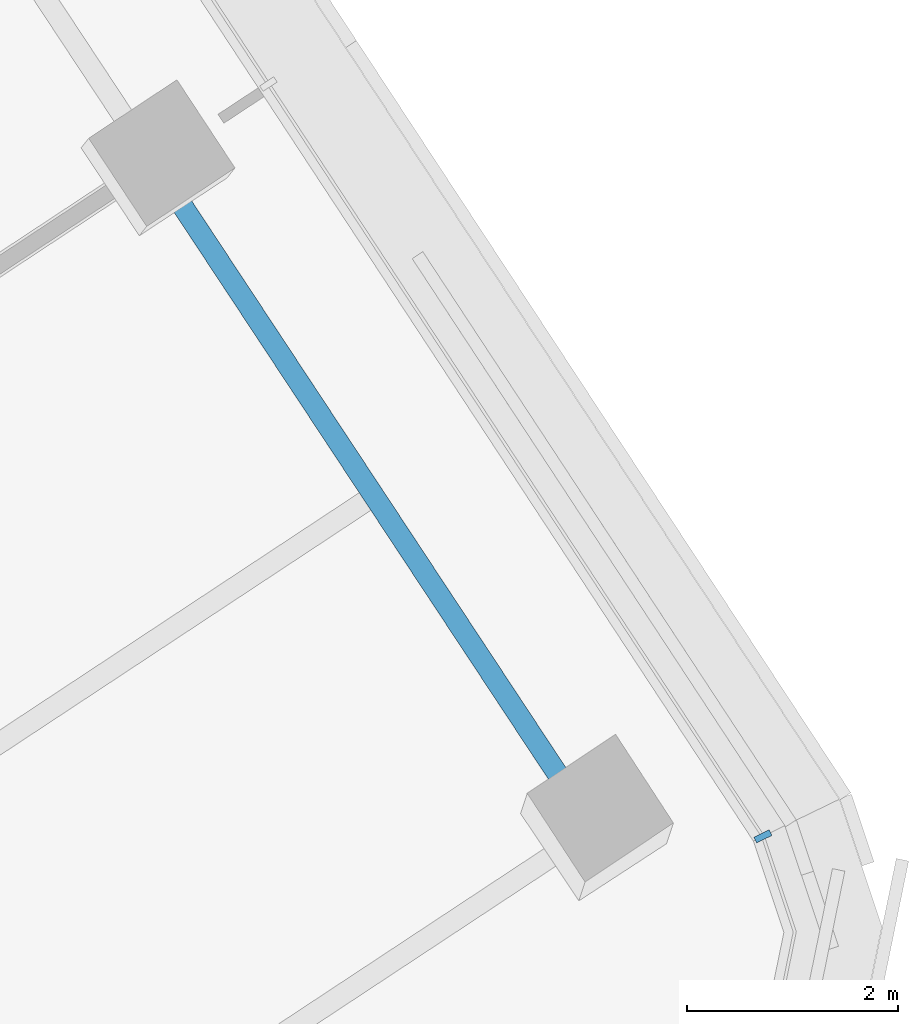
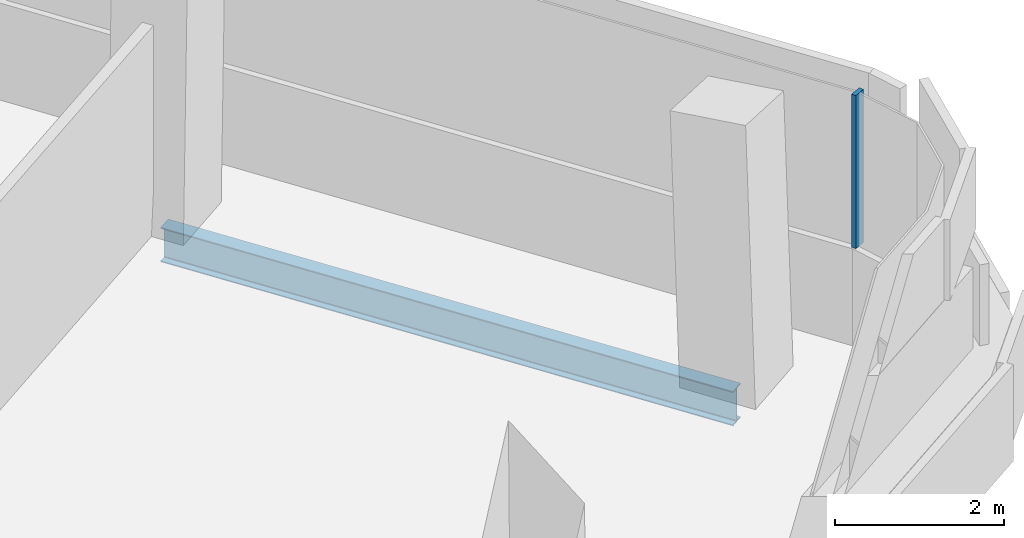
# One storey, part 11 of 35: 1 beam, 1 member, 1 element without a shape of its own.
"""IFC4 building model written with IfcOpenShell, lengths in metres."""

from ifc_helpers import new_model, si_unit, direction, frame, origin, origin_2d, place, context, subcontext, project, spatial, rectangle, i_section, extrude, material, layer, layer_set, material_profile, profile_set, type_object, element, aggregate, save


model = new_model("IFC4")

# Units and contexts
model_context = context("Model", 3, precision=1e-05, world=origin(), true_north=direction((0.0, 1.0)))
body_context = subcontext(model_context, "Body", "Model", "MODEL_VIEW")
ifc_project = project(units=[si_unit("LENGTHUNIT", "METRE"), si_unit("AREAUNIT", "SQUARE_METRE"), si_unit("VOLUMEUNIT", "CUBIC_METRE"), si_unit("PLANEANGLEUNIT", "RADIAN"), si_unit("MASSUNIT", "GRAM", prefix="KILO")], contexts=[model_context])

# Site, building, storey
site_placement = place(None, origin())
site = spatial("IfcSite", under=ifc_project, at=site_placement, CompositionType="ELEMENT")
building_placement = place(site_placement, origin())
building = spatial("IfcBuilding", under=site, at=building_placement, Name="Tamarind Cross Interchange Tower", CompositionType="ELEMENT")
storey_placement = place(building_placement, frame((0.0, 0.0, 155.5)))
storey = spatial("IfcBuildingStorey", under=building, at=storey_placement, Name="L38", CompositionType="ELEMENT", Elevation=155.5)

# Beam
ifc_material_1 = material(Name="Steel Q355B", Category="steel")
ifc_material_profile_1 = material_profile(ifc_material_1, i_section(OverallWidth=0.198974609375, OverallDepth=0.49609375, WebThickness=0.009033203125, FlangeThickness=0.013916015625, FilletRadius=0.012939453125, at=origin_2d()), Name="HN 496x199x9x14")
ifc_profile_set_1 = profile_set([ifc_material_profile_1], Name="Steel Q355B")
beam_type = type_object("IfcBeamType", Name="Composite beam HN 496x199x9x14 Q355B", PredefinedType="BEAM", material=ifc_profile_set_1)
beam_placement = place(storey_placement, frame((18.291015625, -39.721923828125, -0.387939453125), z_axis=(-0.55098692943, 0.834513872621, 0.0), x_axis=(-0.834513872621, -0.55098692943, 0.0)))
element("IfcBeam", 1, at=beam_placement, inside=storey, type_object=beam_type, Name="Beam S-edgeep2", PredefinedType="BEAM", context=body_context, shape_type="SweptSolid", body=[
    extrude(i_section(OverallWidth=0.198974609375, OverallDepth=0.49609375, WebThickness=0.009033203125, FlangeThickness=0.013916015625, FilletRadius=0.012939453125, at=origin_2d()), origin(), (0.0, 0.0, 1.0), 7.567138671875),
])

# Curtain wall, member
ifc_material_2 = material(Name="Aluminium 6063-T6", Category="aluminium")
ifc_layer = layer(ifc_material_2, 0.159912109375)
ifc_layer_set = layer_set([ifc_layer], Name="Aluminium 6063-T6")
curtain_wall_type = type_object("IfcCurtainWallType", Name="Office curtain wall, 9.0 m bays", PredefinedType="NOTDEFINED", material=ifc_layer_set)
curtain_wall_placement = place(storey_placement, origin())
curtain_wall = element("IfcCurtainWall", 2, at=curtain_wall_placement, inside=storey, type_object=curtain_wall_type, Name="CWS-L38-09", PredefinedType="NOTDEFINED")
ifc_material_profile_2 = material_profile(ifc_material_2, rectangle(XDim=0.06005859375, YDim=0.159912109375, at=origin_2d()), Name="Mullion CW1")
ifc_profile_set_2 = profile_set([ifc_material_profile_2], Name="Aluminium 6063-T6")
member_type = type_object("IfcMemberType", Name="Mullion CW1", PredefinedType="MULLION", material=ifc_profile_set_2)
member_placement = place(storey_placement, frame((19.897216796875, -39.795166015625, 1.39990234375), z_axis=(0.0, 0.0, 1.0), x_axis=(-0.43640154795, 0.89975201525, 0.0)))
member = element("IfcMember", 3, at=member_placement, type_object=member_type, Name="CWM-L38-09-00", PredefinedType="MULLION", context=body_context, shape_type="SweptSolid", body=[
    extrude(rectangle(XDim=0.06005859375, YDim=0.159912109375, at=origin_2d()), origin(), (0.0, 0.0, 1.0), 2.210205078125),
])
aggregate(curtain_wall, [member])

save(model, "model.ifc")
